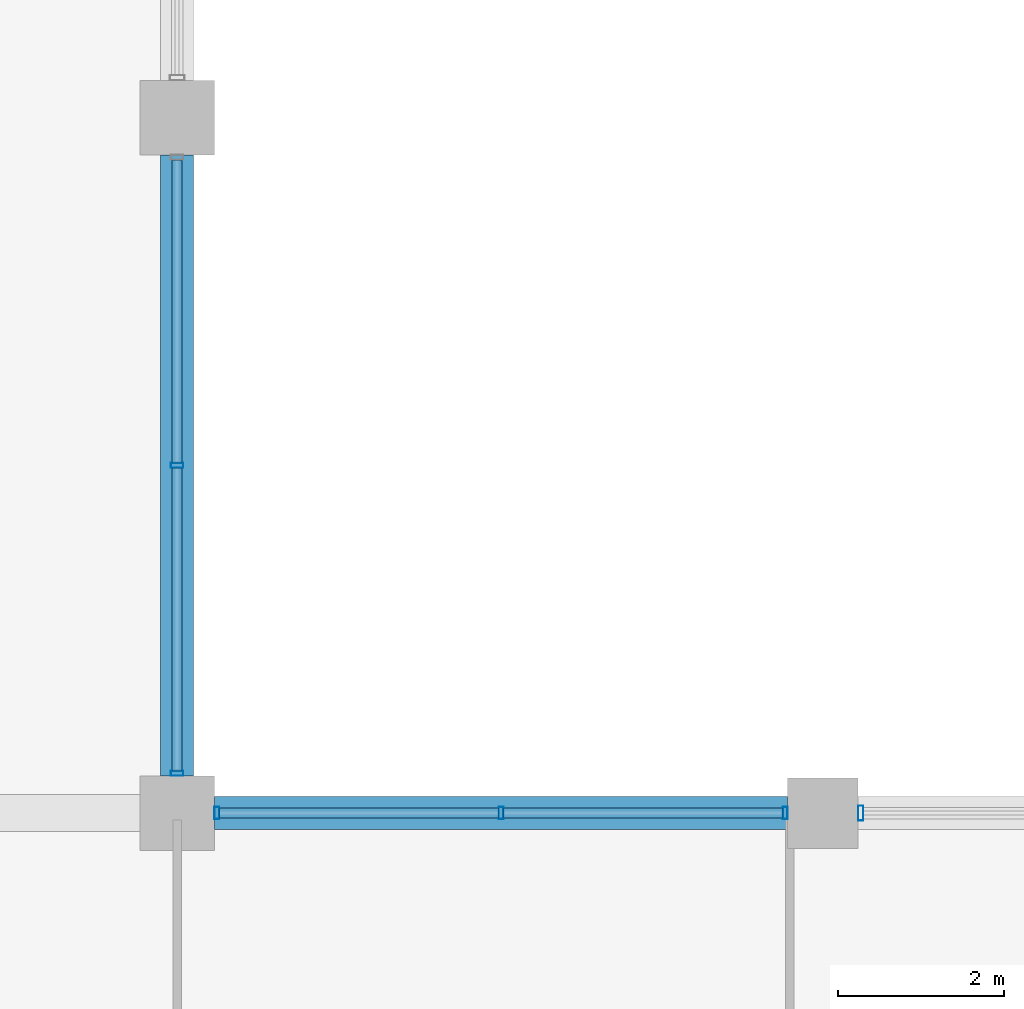
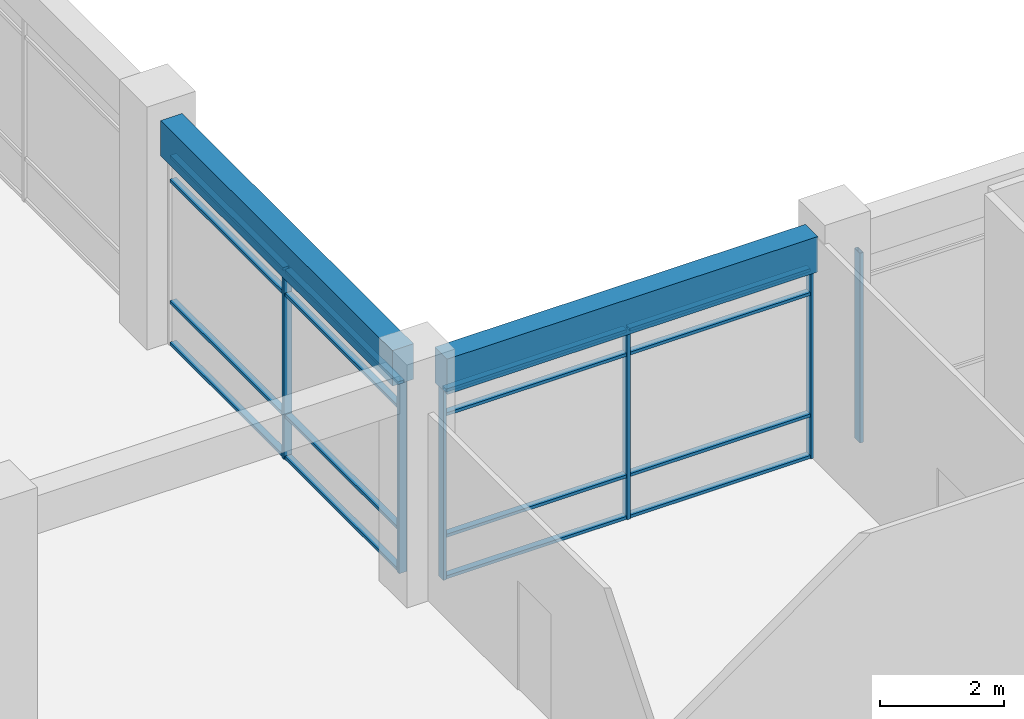
# One storey, part 5 of 79: 22 members, 2 beams, 3 elements without a shape of their own.
"""IFC4 building model written with IfcOpenShell, lengths in metres."""

from ifc_helpers import new_model, si_unit, direction, frame, origin, origin_2d, place, context, subcontext, project, spatial, rectangle, hollow_rectangle, extrude, material, material_profile, profile_set, type_object, element, aggregate, save


model = new_model("IFC4")

# Units and contexts
model_context = context("Model", 3, precision=1e-05, world=origin(), true_north=direction((0.0, 1.0)))
body_context = subcontext(model_context, "Body", "Model", "MODEL_VIEW")
ifc_project = project(units=[si_unit("LENGTHUNIT", "METRE"), si_unit("AREAUNIT", "SQUARE_METRE"), si_unit("VOLUMEUNIT", "CUBIC_METRE"), si_unit("PLANEANGLEUNIT", "RADIAN"), si_unit("MASSUNIT", "GRAM", prefix="KILO"), si_unit("THERMODYNAMICTEMPERATUREUNIT", "KELVIN"), si_unit("POWERUNIT", "WATT")], contexts=[model_context])

# Site, building, storey
site_placement = place(None, origin())
site = spatial("IfcSite", under=ifc_project, at=site_placement, CompositionType="ELEMENT")
building_placement = place(site_placement, origin())
building = spatial("IfcBuilding", under=site, at=building_placement, Name="Srebrne Nadtorze General Hospital", CompositionType="ELEMENT")
storey_placement = place(building_placement, frame((0.0, 0.0, 4.800048828125)))
storey = spatial("IfcBuildingStorey", under=building, at=storey_placement, Name="L01", CompositionType="ELEMENT", Elevation=4.800048828125)

# Curtain wall, members
ifc_material_1 = material(Name="Anodised Aluminium", Category="aluminium")
curtain_wall_type_1 = type_object("IfcCurtainWallType", Name="Unitised curtain wall 6925x3750", PredefinedType="NOTDEFINED", material=ifc_material_1)
curtain_wall_1_placement = place(storey_placement, origin())
curtain_wall_1 = element("IfcCurtainWall", 1, at=curtain_wall_1_placement, inside=storey, type_object=curtain_wall_type_1, Name="Curtain wall CW-042", PredefinedType="NOTDEFINED")
ifc_material_2 = material(Name="Anodised Aluminium", Category="aluminium")
ifc_material_profile_1 = material_profile(ifc_material_2, hollow_rectangle(XDim=0.06005859375, YDim=0.14990234375, WallThickness=0.00390625, at=origin_2d()), Name="AL-MUL-60x150")
ifc_profile_set_1 = profile_set([ifc_material_profile_1], Name="Anodised Aluminium")
member_type_1 = type_object("IfcMemberType", Name="Curtain mullion 60x150", PredefinedType="MULLION", material=ifc_profile_set_1)
member_1_placement = place(storey_placement, frame((55.080078125, 25.199951171875, 0.0), z_axis=(0.0, 0.0, 1.0), x_axis=(1.0, 0.0, 0.0)))
member_1 = element("IfcMember", 2, at=member_1_placement, type_object=member_type_1, Name="CW-042 mullion 1", PredefinedType="MULLION", context=body_context, shape_type="SweptSolid", body=[
    extrude(hollow_rectangle(XDim=0.06005859375, YDim=0.14990234375, WallThickness=0.00390625, at=origin_2d()), origin(), (0.0, 0.0, 1.0), 3.75),
])
member_2_placement = place(storey_placement, frame((58.512451171875, 25.199951171875, 0.0), z_axis=(0.0, 0.0, 1.0), x_axis=(1.0, 0.0, 0.0)))
member_2 = element("IfcMember", 3, at=member_2_placement, type_object=member_type_1, Name="CW-042 mullion 2", PredefinedType="MULLION", context=body_context, shape_type="SweptSolid", body=[
    extrude(hollow_rectangle(XDim=0.06005859375, YDim=0.14990234375, WallThickness=0.00390625, at=origin_2d()), origin(), (0.0, 0.0, 1.0), 3.75),
])
member_3_placement = place(storey_placement, frame((61.945068359375, 25.199951171875, 0.0), z_axis=(0.0, 0.0, 1.0), x_axis=(1.0, 0.0, 0.0)))
member_3 = element("IfcMember", 4, at=member_3_placement, type_object=member_type_1, Name="CW-042 mullion 3", PredefinedType="MULLION", context=body_context, shape_type="SweptSolid", body=[
    extrude(hollow_rectangle(XDim=0.06005859375, YDim=0.14990234375, WallThickness=0.00390625, at=origin_2d()), origin(), (0.0, 0.0, 1.0), 3.75),
])

ifc_material_3 = material(Name="Anodised Aluminium", Category="aluminium")
curtain_wall_type_2 = type_object("IfcCurtainWallType", Name="Unitised curtain wall 7500x3750", PredefinedType="NOTDEFINED", material=ifc_material_3)
curtain_wall_2_placement = place(storey_placement, origin())
curtain_wall_2 = element("IfcCurtainWall", 5, at=curtain_wall_2_placement, inside=storey, type_object=curtain_wall_type_2, Name="Curtain wall CW-056", PredefinedType="NOTDEFINED")
member_4_placement = place(storey_placement, frame((54.60009765625, 25.679931640625, 0.0), z_axis=(0.0, 0.0, 1.0), x_axis=(0.0, 1.0, 0.0)))
member_4 = element("IfcMember", 6, at=member_4_placement, type_object=member_type_1, Name="CW-056 mullion 1", PredefinedType="MULLION", context=body_context, shape_type="SweptSolid", body=[
    extrude(hollow_rectangle(XDim=0.06005859375, YDim=0.14990234375, WallThickness=0.00390625, at=origin_2d()), origin(), (0.0, 0.0, 1.0), 3.75),
])
member_5_placement = place(storey_placement, frame((54.60009765625, 29.39990234375, 0.0), z_axis=(0.0, 0.0, 1.0), x_axis=(0.0, 1.0, 0.0)))
member_5 = element("IfcMember", 7, at=member_5_placement, type_object=member_type_1, Name="CW-056 mullion 2", PredefinedType="MULLION", context=body_context, shape_type="SweptSolid", body=[
    extrude(hollow_rectangle(XDim=0.06005859375, YDim=0.14990234375, WallThickness=0.00390625, at=origin_2d()), origin(), (0.0, 0.0, 1.0), 3.75),
])

# Curtain wall, member
ifc_material_4 = material(Name="Anodised Aluminium", Category="aluminium")
curtain_wall_type_3 = type_object("IfcCurtainWallType", Name="Unitised curtain wall 6950x3750", PredefinedType="NOTDEFINED", material=ifc_material_4)
curtain_wall_3_placement = place(storey_placement, origin())
curtain_wall_3 = element("IfcCurtainWall", 8, at=curtain_wall_3_placement, inside=storey, type_object=curtain_wall_type_3, Name="Curtain wall CW-043", PredefinedType="NOTDEFINED")
ifc_material_5 = material(Name="Anodised Aluminium", Category="aluminium")
ifc_material_profile_2 = material_profile(ifc_material_5, hollow_rectangle(XDim=0.06494140625, YDim=0.179931640625, WallThickness=0.00390625, at=origin_2d()), Name="AL-MUL-65x180")
ifc_profile_set_2 = profile_set([ifc_material_profile_2], Name="Anodised Aluminium")
member_type_2 = type_object("IfcMemberType", Name="Curtain mullion 65x180", PredefinedType="MULLION", material=ifc_profile_set_2)
member_6_placement = place(storey_placement, frame((62.857421875, 25.199951171875, 0.0), z_axis=(0.0, 0.0, 1.0), x_axis=(1.0, 0.0, 0.0)))
member_6 = element("IfcMember", 9, at=member_6_placement, type_object=member_type_2, Name="CW-043 mullion 1", PredefinedType="MULLION", context=body_context, shape_type="SweptSolid", body=[
    extrude(hollow_rectangle(XDim=0.06494140625, YDim=0.179931640625, WallThickness=0.00390625, at=origin_2d()), origin(), (0.0, 0.0, 1.0), 3.75),
])
aggregate(curtain_wall_3, [member_6])

# Member
ifc_material_6 = material(Name="Anodised Aluminium", Category="aluminium")
ifc_material_profile_3 = material_profile(ifc_material_6, hollow_rectangle(XDim=0.06005859375, YDim=0.1201171875, WallThickness=0.00390625, at=origin_2d()), Name="AL-TRN-60x120")
ifc_profile_set_3 = profile_set([ifc_material_profile_3], Name="Anodised Aluminium")
member_type_3 = type_object("IfcMemberType", Name="Curtain transom 60x120", PredefinedType="USERDEFINED", material=ifc_profile_set_3)
member_7_placement = place(storey_placement, frame((55.110107421875, 25.199951171875, 0.030029296875), z_axis=(1.0, 0.0, 0.0), x_axis=(0.0, 0.0, 1.0)))
member_7 = element("IfcMember", 10, at=member_7_placement, type_object=member_type_3, Name="CW-042 transom 1.1", ObjectType="TRANSOM", PredefinedType="USERDEFINED", context=body_context, shape_type="SweptSolid", body=[
    extrude(hollow_rectangle(XDim=0.06005859375, YDim=0.1201171875, WallThickness=0.00390625, at=origin_2d()), origin(), (0.0, 0.0, 1.0), 3.372314453125),
])

member_8_placement = place(storey_placement, frame((55.110107421875, 25.199951171875, 0.849853515625), z_axis=(1.0, 0.0, 0.0), x_axis=(0.0, 0.0, 1.0)))
member_8 = element("IfcMember", 11, at=member_8_placement, type_object=member_type_3, Name="CW-042 transom 1.2", ObjectType="TRANSOM", PredefinedType="USERDEFINED", context=body_context, shape_type="SweptSolid", body=[
    extrude(hollow_rectangle(XDim=0.06005859375, YDim=0.1201171875, WallThickness=0.00390625, at=origin_2d()), origin(), (0.0, 0.0, 1.0), 3.372314453125),
])

member_9_placement = place(storey_placement, frame((55.110107421875, 25.199951171875, 3.25), z_axis=(1.0, 0.0, 0.0), x_axis=(0.0, 0.0, 1.0)))
member_9 = element("IfcMember", 12, at=member_9_placement, type_object=member_type_3, Name="CW-042 transom 1.3", ObjectType="TRANSOM", PredefinedType="USERDEFINED", context=body_context, shape_type="SweptSolid", body=[
    extrude(hollow_rectangle(XDim=0.06005859375, YDim=0.1201171875, WallThickness=0.00390625, at=origin_2d()), origin(), (0.0, 0.0, 1.0), 3.372314453125),
])

member_10_placement = place(storey_placement, frame((55.110107421875, 25.199951171875, 3.719970703125), z_axis=(1.0, 0.0, 0.0), x_axis=(0.0, 0.0, 1.0)))
member_10 = element("IfcMember", 13, at=member_10_placement, type_object=member_type_3, Name="CW-042 transom 1.4", ObjectType="TRANSOM", PredefinedType="USERDEFINED", context=body_context, shape_type="SweptSolid", body=[
    extrude(hollow_rectangle(XDim=0.06005859375, YDim=0.1201171875, WallThickness=0.00390625, at=origin_2d()), origin(), (0.0, 0.0, 1.0), 3.372314453125),
])

member_11_placement = place(storey_placement, frame((58.54248046875, 25.199951171875, 0.030029296875), z_axis=(1.0, 0.0, 0.0), x_axis=(0.0, 0.0, 1.0)))
member_11 = element("IfcMember", 14, at=member_11_placement, type_object=member_type_3, Name="CW-042 transom 2.1", ObjectType="TRANSOM", PredefinedType="USERDEFINED", context=body_context, shape_type="SweptSolid", body=[
    extrude(hollow_rectangle(XDim=0.06005859375, YDim=0.1201171875, WallThickness=0.00390625, at=origin_2d()), origin(), (0.0, 0.0, 1.0), 3.37255859375),
])

member_12_placement = place(storey_placement, frame((58.54248046875, 25.199951171875, 0.849853515625), z_axis=(1.0, 0.0, 0.0), x_axis=(0.0, 0.0, 1.0)))
member_12 = element("IfcMember", 15, at=member_12_placement, type_object=member_type_3, Name="CW-042 transom 2.2", ObjectType="TRANSOM", PredefinedType="USERDEFINED", context=body_context, shape_type="SweptSolid", body=[
    extrude(hollow_rectangle(XDim=0.06005859375, YDim=0.1201171875, WallThickness=0.00390625, at=origin_2d()), origin(), (0.0, 0.0, 1.0), 3.37255859375),
])

member_13_placement = place(storey_placement, frame((58.54248046875, 25.199951171875, 3.25), z_axis=(1.0, 0.0, 0.0), x_axis=(0.0, 0.0, 1.0)))
member_13 = element("IfcMember", 16, at=member_13_placement, type_object=member_type_3, Name="CW-042 transom 2.3", ObjectType="TRANSOM", PredefinedType="USERDEFINED", context=body_context, shape_type="SweptSolid", body=[
    extrude(hollow_rectangle(XDim=0.06005859375, YDim=0.1201171875, WallThickness=0.00390625, at=origin_2d()), origin(), (0.0, 0.0, 1.0), 3.37255859375),
])

member_14_placement = place(storey_placement, frame((58.54248046875, 25.199951171875, 3.719970703125), z_axis=(1.0, 0.0, 0.0), x_axis=(0.0, 0.0, 1.0)))
member_14 = element("IfcMember", 17, at=member_14_placement, type_object=member_type_3, Name="CW-042 transom 2.4", ObjectType="TRANSOM", PredefinedType="USERDEFINED", context=body_context, shape_type="SweptSolid", body=[
    extrude(hollow_rectangle(XDim=0.06005859375, YDim=0.1201171875, WallThickness=0.00390625, at=origin_2d()), origin(), (0.0, 0.0, 1.0), 3.37255859375),
])

aggregate(curtain_wall_1, [member_1, member_2, member_3, member_7, member_8, member_9, member_10, member_11, member_12, member_13, member_14])

member_15_placement = place(storey_placement, frame((54.60009765625, 25.7099609375, 0.030029296875), z_axis=(0.0, 1.0, 0.0), x_axis=(0.0, 0.0, 1.0)))
member_15 = element("IfcMember", 18, at=member_15_placement, type_object=member_type_3, Name="CW-056 transom 1.1", ObjectType="TRANSOM", PredefinedType="USERDEFINED", context=body_context, shape_type="SweptSolid", body=[
    extrude(hollow_rectangle(XDim=0.06005859375, YDim=0.1201171875, WallThickness=0.00390625, at=origin_2d()), origin(), (0.0, 0.0, 1.0), 3.66015625),
])

member_16_placement = place(storey_placement, frame((54.60009765625, 25.7099609375, 0.849853515625), z_axis=(0.0, 1.0, 0.0), x_axis=(0.0, 0.0, 1.0)))
member_16 = element("IfcMember", 19, at=member_16_placement, type_object=member_type_3, Name="CW-056 transom 1.2", ObjectType="TRANSOM", PredefinedType="USERDEFINED", context=body_context, shape_type="SweptSolid", body=[
    extrude(hollow_rectangle(XDim=0.06005859375, YDim=0.1201171875, WallThickness=0.00390625, at=origin_2d()), origin(), (0.0, 0.0, 1.0), 3.66015625),
])

member_17_placement = place(storey_placement, frame((54.60009765625, 25.7099609375, 3.25), z_axis=(0.0, 1.0, 0.0), x_axis=(0.0, 0.0, 1.0)))
member_17 = element("IfcMember", 20, at=member_17_placement, type_object=member_type_3, Name="CW-056 transom 1.3", ObjectType="TRANSOM", PredefinedType="USERDEFINED", context=body_context, shape_type="SweptSolid", body=[
    extrude(hollow_rectangle(XDim=0.06005859375, YDim=0.1201171875, WallThickness=0.00390625, at=origin_2d()), origin(), (0.0, 0.0, 1.0), 3.66015625),
])

member_18_placement = place(storey_placement, frame((54.60009765625, 25.7099609375, 3.719970703125), z_axis=(0.0, 1.0, 0.0), x_axis=(0.0, 0.0, 1.0)))
member_18 = element("IfcMember", 21, at=member_18_placement, type_object=member_type_3, Name="CW-056 transom 1.4", ObjectType="TRANSOM", PredefinedType="USERDEFINED", context=body_context, shape_type="SweptSolid", body=[
    extrude(hollow_rectangle(XDim=0.06005859375, YDim=0.1201171875, WallThickness=0.00390625, at=origin_2d()), origin(), (0.0, 0.0, 1.0), 3.66015625),
])

member_19_placement = place(storey_placement, frame((54.60009765625, 29.429931640625, 0.030029296875), z_axis=(0.0, 1.0, 0.0), x_axis=(0.0, 0.0, 1.0)))
member_19 = element("IfcMember", 22, at=member_19_placement, type_object=member_type_3, Name="CW-056 transom 2.1", ObjectType="TRANSOM", PredefinedType="USERDEFINED", context=body_context, shape_type="SweptSolid", body=[
    extrude(hollow_rectangle(XDim=0.06005859375, YDim=0.1201171875, WallThickness=0.00390625, at=origin_2d()), origin(), (0.0, 0.0, 1.0), 3.66015625),
])

member_20_placement = place(storey_placement, frame((54.60009765625, 29.429931640625, 0.849853515625), z_axis=(0.0, 1.0, 0.0), x_axis=(0.0, 0.0, 1.0)))
member_20 = element("IfcMember", 23, at=member_20_placement, type_object=member_type_3, Name="CW-056 transom 2.2", ObjectType="TRANSOM", PredefinedType="USERDEFINED", context=body_context, shape_type="SweptSolid", body=[
    extrude(hollow_rectangle(XDim=0.06005859375, YDim=0.1201171875, WallThickness=0.00390625, at=origin_2d()), origin(), (0.0, 0.0, 1.0), 3.66015625),
])

member_21_placement = place(storey_placement, frame((54.60009765625, 29.429931640625, 3.25), z_axis=(0.0, 1.0, 0.0), x_axis=(0.0, 0.0, 1.0)))
member_21 = element("IfcMember", 24, at=member_21_placement, type_object=member_type_3, Name="CW-056 transom 2.3", ObjectType="TRANSOM", PredefinedType="USERDEFINED", context=body_context, shape_type="SweptSolid", body=[
    extrude(hollow_rectangle(XDim=0.06005859375, YDim=0.1201171875, WallThickness=0.00390625, at=origin_2d()), origin(), (0.0, 0.0, 1.0), 3.66015625),
])

member_22_placement = place(storey_placement, frame((54.60009765625, 29.429931640625, 3.719970703125), z_axis=(0.0, 1.0, 0.0), x_axis=(0.0, 0.0, 1.0)))
member_22 = element("IfcMember", 25, at=member_22_placement, type_object=member_type_3, Name="CW-056 transom 2.4", ObjectType="TRANSOM", PredefinedType="USERDEFINED", context=body_context, shape_type="SweptSolid", body=[
    extrude(hollow_rectangle(XDim=0.06005859375, YDim=0.1201171875, WallThickness=0.00390625, at=origin_2d()), origin(), (0.0, 0.0, 1.0), 3.66015625),
])

aggregate(curtain_wall_2, [member_4, member_5, member_15, member_16, member_17, member_18, member_19, member_20, member_21, member_22])

# Beams
ifc_material_7 = material(Name="Concrete C40/50", Category="concrete")
ifc_material_profile_4 = material_profile(ifc_material_7, rectangle(XDim=0.39990234375, YDim=0.699951171875, at=origin_2d()), Name="RC-BM-400x700")
ifc_profile_set_4 = profile_set([ifc_material_profile_4], Name="Concrete C40/50")
beam_type = type_object("IfcBeamType", Name="Edge beam RC 400x700", PredefinedType="BEAM", material=ifc_profile_set_4)
beam_1_placement = place(storey_placement, frame((55.050048828125, 25.199951171875, 4.099853515625), z_axis=(1.0, 0.0, 0.0), x_axis=(0.0, 1.0, 0.0)))
element("IfcBeam", 26, at=beam_1_placement, inside=storey, type_object=beam_type, Name="Beam BM-L01-X-0388", PredefinedType="BEAM", context=body_context, shape_type="SweptSolid", body=[
    extrude(rectangle(XDim=0.39990234375, YDim=0.699951171875, at=origin_2d()), origin(), (0.0, 0.0, 1.0), 6.925048828125),
])
beam_2_placement = place(storey_placement, frame((54.60009765625, 25.64990234375, 4.099853515625), z_axis=(0.0, 1.0, 0.0), x_axis=(-1.0, 0.0, 0.0)))
element("IfcBeam", 27, at=beam_2_placement, inside=storey, type_object=beam_type, Name="Beam BM-L01-Y-0493", PredefinedType="BEAM", context=body_context, shape_type="SweptSolid", body=[
    extrude(rectangle(XDim=0.39990234375, YDim=0.699951171875, at=origin_2d()), origin(), (0.0, 0.0, 1.0), 7.5),
])

save(model, "model.ifc")
